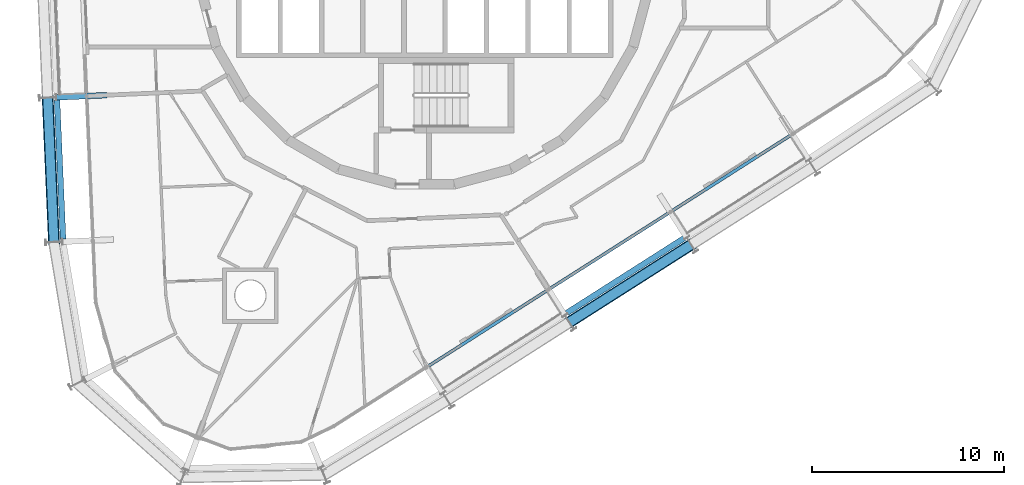
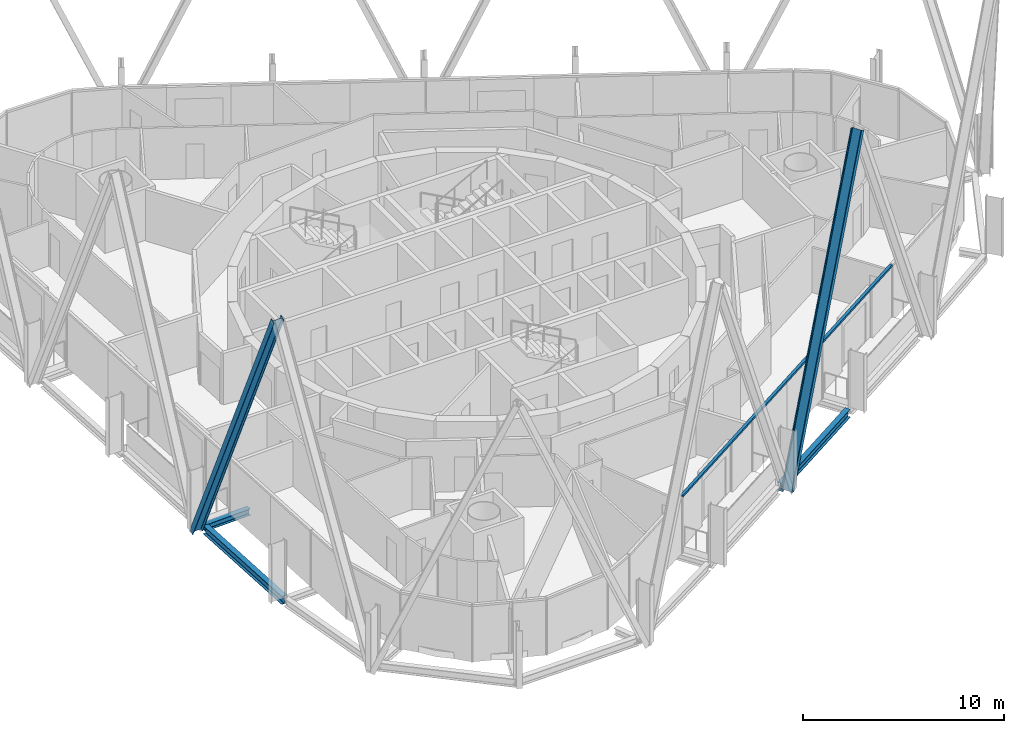
# One storey, part 3 of 18: 3 beams, 3 members, 1 element without a shape of its own.
"""IFC4 building model written with IfcOpenShell, lengths in metres."""

from ifc_helpers import new_model, si_unit, direction, frame, origin, origin_2d, place, context, subcontext, project, spatial, rectangle, i_section, extrude, material, layer, layer_set, material_profile, profile_set, type_object, element, aggregate, save


model = new_model("IFC4")

# Units and contexts
model_context = context("Model", 3, precision=1e-05, world=origin(), true_north=direction((0.0, 1.0)))
body_context = subcontext(model_context, "Body", "Model", "MODEL_VIEW")
ifc_project = project(units=[si_unit("LENGTHUNIT", "METRE"), si_unit("AREAUNIT", "SQUARE_METRE"), si_unit("VOLUMEUNIT", "CUBIC_METRE"), si_unit("PLANEANGLEUNIT", "RADIAN"), si_unit("MASSUNIT", "GRAM", prefix="KILO")], contexts=[model_context])

# Site, building, storey
site_placement = place(None, origin())
site = spatial("IfcSite", under=ifc_project, at=site_placement, CompositionType="ELEMENT")
building_placement = place(site_placement, origin())
building = spatial("IfcBuilding", under=site, at=building_placement, Name="Spindle Arch Residences", CompositionType="ELEMENT")
storey_placement = place(building_placement, frame((0.0, 0.0, 240.699951171875)))
storey = spatial("IfcBuildingStorey", under=building, at=storey_placement, Name="L61", CompositionType="ELEMENT", Elevation=240.699951171875)

# Curtain wall, member
ifc_material_1 = material(Name="Aluminium bronze unitised frame with tinted glass", Category="aluminium")
ifc_layer = layer(ifc_material_1, 0.159912109375)
ifc_layer_set = layer_set([ifc_layer], Name="CW-C typical residential unitised wall")
curtain_wall_type = type_object("IfcCurtainWallType", Name="CW-C typical residential unitised wall", PredefinedType="NOTDEFINED", material=ifc_layer_set)
curtain_wall_placement = place(storey_placement, origin())
curtain_wall = element("IfcCurtainWall", 1, at=curtain_wall_placement, inside=storey, type_object=curtain_wall_type, Name="CW-C L61 run 6", PredefinedType="NOTDEFINED")
ifc_material_2 = material(Name="Aluminium bronze anodised transom", Category="aluminium")
ifc_material_profile_1 = material_profile(ifc_material_2, rectangle(XDim=0.159912109375, YDim=0.1201171875, at=origin_2d()), Name="TR 120x160")
ifc_profile_set_1 = profile_set([ifc_material_profile_1], Name="Aluminium bronze anodised transom")
member_type_1 = type_object("IfcMemberType", Name="Bronze transom 120x160", PredefinedType="USERDEFINED", material=ifc_profile_set_1)
member_1_placement = place(storey_placement, frame((0.12451171875, -21.16162109375, 3.06005859375), z_axis=(0.84339053968, 0.537301030688, 0.0), x_axis=(-0.537301030688, 0.84339053968, 0.0)))
member_1 = element("IfcMember", 2, at=member_1_placement, type_object=member_type_1, Name="CW-C transom 00", ObjectType="TRANSOM", PredefinedType="USERDEFINED", context=body_context, shape_type="SweptSolid", body=[
    extrude(rectangle(XDim=0.159912109375, YDim=0.1201171875, at=origin_2d()), origin(), (0.0, 0.0, 1.0), 22.530029296875),
])
aggregate(curtain_wall, [member_1])

# Members
ifc_material_3 = material(Name="Steel S460ML, intumescent coating R 240", Category="steel")
ifc_material_profile_2 = material_profile(ifc_material_3, i_section(OverallWidth=0.300048828125, OverallDepth=0.60009765625, WebThickness=0.015380859375, FlangeThickness=0.030029296875, FilletRadius=0.027099609375, at=origin_2d()), Name="HEB 600")
ifc_profile_set_2 = profile_set([ifc_material_profile_2], Name="Steel S460ML, intumescent coating R 240")
member_type_2 = type_object("IfcMemberType", Name="Diagrid diagonal HEB 600", PredefinedType="BRACE", material=ifc_profile_set_2)
member_2_placement = place(storey_placement, frame((-19.6416015625, -7.138671875, -0.6298828125), z_axis=(0.017426616458, -0.399244430893, 0.916678895492), x_axis=(-0.039974046757, 0.915806897236, 0.399624577022)))
element("IfcMember", 3, at=member_2_placement, inside=storey, type_object=member_type_2, Name="Diagrid diagonal 6.2.16", PredefinedType="BRACE", context=body_context, shape_type="SweptSolid", body=[
    extrude(i_section(OverallWidth=0.300048828125, OverallDepth=0.60009765625, WebThickness=0.015380859375, FlangeThickness=0.030029296875, FilletRadius=0.027099609375, at=origin_2d()), origin(), (0.0, 0.0, 1.0), 18.843017578125),
])
member_3_placement = place(storey_placement, frame((7.535400390625, -18.83544921875, -0.6298828125), z_axis=(0.337028467808, 0.214717659869, 0.916683226872), x_axis=(-0.773115675598, -0.492544709212, 0.399614641339)))
element("IfcMember", 4, at=member_3_placement, inside=storey, type_object=member_type_2, Name="Diagrid diagonal 6.2.22", PredefinedType="BRACE", context=body_context, shape_type="SweptSolid", body=[
    extrude(i_section(OverallWidth=0.300048828125, OverallDepth=0.60009765625, WebThickness=0.015380859375, FlangeThickness=0.030029296875, FilletRadius=0.027099609375, at=origin_2d()), origin(), (0.0, 0.0, 1.0), 18.8427734375),
])

# Beams
ifc_material_4 = material(Name="Steel S460ML, intumescent coating R 120", Category="steel")
ifc_material_profile_3 = material_profile(ifc_material_4, i_section(OverallWidth=0.300048828125, OverallDepth=0.5, WebThickness=0.014404296875, FlangeThickness=0.028076171875, FilletRadius=0.027099609375, at=origin_2d()), Name="HEB 500")
ifc_profile_set_3 = profile_set([ifc_material_profile_3], Name="Steel S460ML, intumescent coating R 120")
beam_type_1 = type_object("IfcBeamType", Name="Exoskeleton edge beam HEB 500", PredefinedType="BEAM", material=ifc_profile_set_3)
for number, where, z_axis, x_axis, name in (
    (5, (-19.156494140625, -7.24755859375, -0.6298828125), (0.043622301665, -0.999048094337, 0.0), (0.999048094337, 0.043622301665, 0.0), "Exoskeleton edge beam 16"),
    (6, (7.386962890625, -18.360595703125, -0.6298828125), (0.843406961456, 0.53727525289, 0.0), (-0.53727525289, 0.843406961456, 0.0), "Exoskeleton edge beam 22"),
):
    element("IfcBeam", number, at=place(storey_placement, frame(where, z_axis=z_axis, x_axis=x_axis)), inside=storey, type_object=beam_type_1, Name=name, PredefinedType="BEAM", context=body_context, shape_type="SweptSolid", body=[
        extrude(i_section(OverallWidth=0.300048828125, OverallDepth=0.5, WebThickness=0.014404296875, FlangeThickness=0.028076171875, FilletRadius=0.027099609375, at=origin_2d()), origin(), (0.0, 0.0, 1.0), 7.27001953125),
    ])
ifc_material_5 = material(Name="Steel S460ML, intumescent coating R 120", Category="steel")
ifc_material_profile_4 = material_profile(ifc_material_5, i_section(OverallWidth=0.300048828125, OverallDepth=0.389892578125, WebThickness=0.010986328125, FlangeThickness=0.01904296875, FilletRadius=0.027099609375, at=origin_2d()), Name="HEA 400")
ifc_profile_set_4 = profile_set([ifc_material_profile_4], Name="Steel S460ML, intumescent coating R 120")
beam_type_2 = type_object("IfcBeamType", Name="Floor outrigger HEA 400", PredefinedType="BEAM", material=ifc_profile_set_4)
beam_placement = place(storey_placement, frame((-19.192138671875, -7.118896484375, -0.574951171875), z_axis=(0.999050064545, 0.04357715608, 0.0), x_axis=(-0.04357715608, 0.999050064545, 0.0)))
element("IfcBeam", 7, at=beam_placement, inside=storey, type_object=beam_type_2, Name="Floor outrigger 16", PredefinedType="BEAM", context=body_context, shape_type="SweptSolid", body=[
    extrude(i_section(OverallWidth=0.300048828125, OverallDepth=0.389892578125, WebThickness=0.010986328125, FlangeThickness=0.01904296875, FilletRadius=0.027099609375, at=origin_2d()), origin(), (0.0, 0.0, 1.0), 2.64990234375),
])

save(model, "model.ifc")
